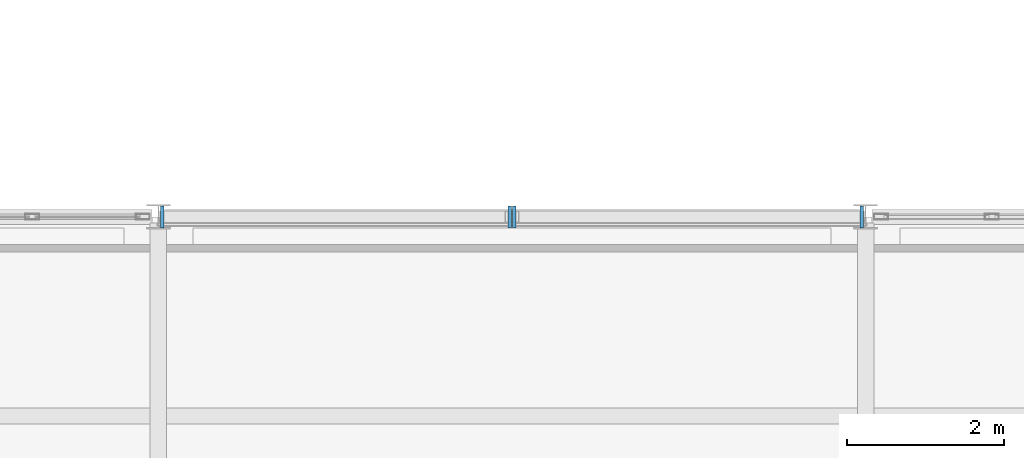
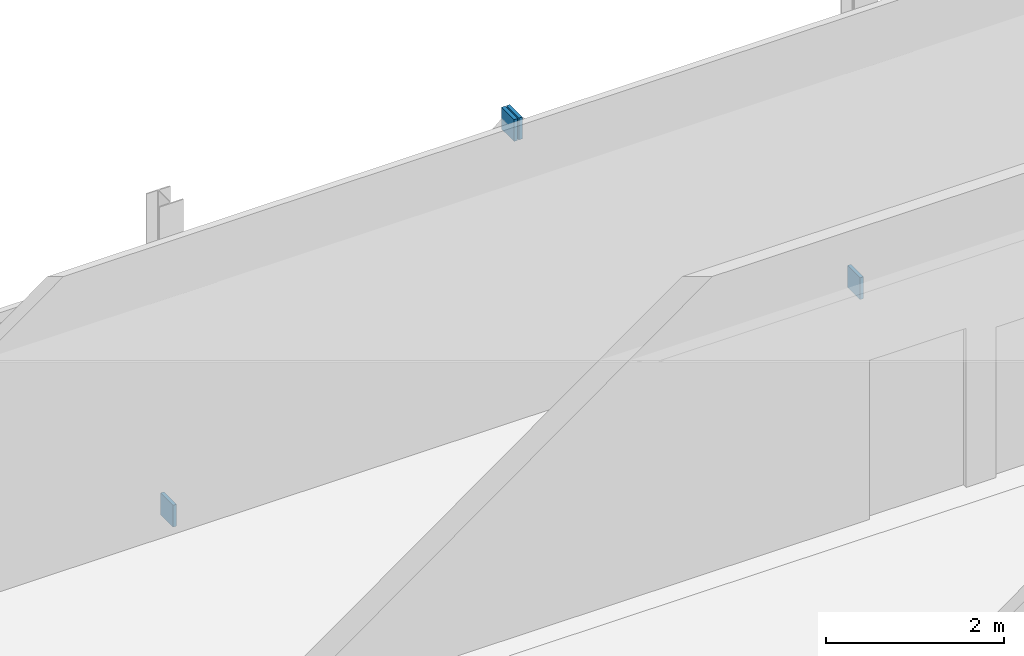
# One storey, part 37 of 48: 4 plates.
"""IFC4 building model written with IfcOpenShell, lengths in metres."""

import ifcopenshell
import ifcopenshell.guid

model = None  # the IFC model being written
_history = None  # IfcOwnerHistory: only IFC2X3 demands one
_inside = {}  # id of a spatial element -> (the spatial element, [elements in it])
_under = {}  # id of a project, library or spatial element -> (it, [spatial elements below it])
_declared = {}  # id of a project -> (the project, [libraries it declares])
_typed = {}  # id of a type object -> (the type object, [elements of that type])
_made_of = {}  # id of a material, layer set ... -> (it, [elements and type objects made of it])


def new_model(schema):
    """Start an empty IFC model of exactly this schema.

    Asked for "IFC4X3", IfcOpenShell would pick the latest addendum, in which some entities
    have other attributes; the version numbers below select the first issue.
    IFC2X3 requires an IfcOwnerHistory on every rooted entity: one is made here for all.
    """
    global model, _history
    if schema == "IFC4X3":
        model = ifcopenshell.file(schema_version=(4, 3, 0, 0))
    else:
        model = ifcopenshell.file(schema=schema)
    _inside.clear()
    _under.clear()
    _declared.clear()
    _typed.clear()
    _made_of.clear()
    _history = None
    if model.schema == "IFC2X3":
        org = make("IfcOrganization", Name="unknown")
        user = make(
            "IfcPersonAndOrganization",
            ThePerson=make("IfcPerson", FamilyName="unknown"),
            TheOrganization=org,
        )
        app = make(
            "IfcApplication",
            ApplicationDeveloper=org,
            Version="unknown",
            ApplicationFullName="unknown",
            ApplicationIdentifier="unknown",
        )
        _history = make(
            "IfcOwnerHistory",
            OwningUser=user,
            OwningApplication=app,
            ChangeAction="ADDED",
            CreationDate=0,
        )
    return model


def make(cls, **values):
    """One entity of the class cls with the attributes given. An attribute that is None is left unset."""
    return model.create_entity(
        cls, **{name: value for name, value in values.items() if value is not None}
    )


def rooted(cls, **values):
    """An entity with a GlobalId (a new one), such as an element, a storey or a relation."""
    return make(cls, GlobalId=ifcopenshell.guid.new(), OwnerHistory=_history, **values)


def si_unit(unit_type, name, prefix=None):
    """IfcSIUnit, for example si_unit("LENGTHUNIT", "METRE", prefix="MILLI")."""
    return make("IfcSIUnit", UnitType=unit_type, Prefix=prefix, Name=name)


def assignment(units):
    """IfcUnitAssignment: the units of a project."""
    return None if units is None else make("IfcUnitAssignment", Units=units)


def point(xyz):
    """IfcCartesianPoint."""
    return None if xyz is None else make("IfcCartesianPoint", Coordinates=xyz)


def direction(xyz):
    """IfcDirection."""
    return None if xyz is None else make("IfcDirection", DirectionRatios=xyz)


def frame(location, z_axis=None, x_axis=None):
    """IfcAxis2Placement3D, a coordinate frame: its origin and axes. An axis left out is left unset."""
    return make(
        "IfcAxis2Placement3D",
        Location=point(location),
        Axis=direction(z_axis),
        RefDirection=direction(x_axis),
    )


def frame_2d(location, x_axis=None):
    """IfcAxis2Placement2D, a coordinate frame in the plane: its origin and x axis."""
    return make(
        "IfcAxis2Placement2D", Location=point(location), RefDirection=direction(x_axis)
    )


def origin():
    """The frame at (0, 0, 0) with its axes left unset."""
    return frame((0.0, 0.0, 0.0))


def origin_2d():
    """The frame at (0, 0) in the plane with its x axis left unset."""
    return frame_2d((0.0, 0.0))


def place(relative_to, where):
    """IfcLocalPlacement: puts the frame where relative to a parent placement (None: the world)."""
    return make(
        "IfcLocalPlacement", PlacementRelTo=relative_to, RelativePlacement=where
    )


def context(
    kind, dimensions, precision=None, world=None, true_north=None, identifier=None
):
    """IfcGeometricRepresentationContext, for example the 3D "Model" context."""
    return make(
        "IfcGeometricRepresentationContext",
        ContextIdentifier=identifier,
        ContextType=kind,
        CoordinateSpaceDimension=dimensions,
        Precision=precision,
        WorldCoordinateSystem=world,
        TrueNorth=true_north,
    )


def subcontext(parent, identifier, kind, view, scale=None):
    """IfcGeometricRepresentationSubContext, for example "Body" below "Model"."""
    return make(
        "IfcGeometricRepresentationSubContext",
        ContextIdentifier=identifier,
        ContextType=kind,
        ParentContext=parent,
        TargetScale=scale,
        TargetView=view,
    )


def project(units=None, contexts=None):
    """IfcProject with its units and contexts."""
    return rooted(
        "IfcProject",
        Name="project",
        RepresentationContexts=contexts,
        UnitsInContext=assignment(units),
    )


def spatial(cls, under=None, at=None, **own):
    """A site, building, storey or space (cls), placed at a placement, below another one or the project."""
    s = rooted(cls, ObjectPlacement=at, **own)
    if under is not None:
        _under.setdefault(under.id(), (under, []))[1].append(s)
    return s


def profile(cls, at=None, kind="AREA", **sizes):
    """A parametric profile (cls). Its sizes go by their IFC names, for example OverallWidth=200.0."""
    return make(cls, ProfileType=kind, Position=at, **sizes)


def rectangle(**sizes):
    """IfcRectangleProfileDef."""
    return profile("IfcRectangleProfileDef", **sizes)


def extrude(swept, where, along, depth):
    """IfcExtrudedAreaSolid: the profile swept, set in the frame where, extruded along a direction by depth."""
    return make(
        "IfcExtrudedAreaSolid",
        SweptArea=swept,
        Position=where,
        ExtrudedDirection=direction(along),
        Depth=depth,
    )


def shape(context_of_items, identifier, shape_type, items):
    """IfcShapeRepresentation: the items that make up one representation, for example the "Body"."""
    return make(
        "IfcShapeRepresentation",
        ContextOfItems=context_of_items,
        RepresentationIdentifier=identifier,
        RepresentationType=shape_type,
        Items=items,
    )


def material(Name=None, Category=None):
    """IfcMaterial."""
    return make("IfcMaterial", Name=Name, Category=Category)


def layer(
    of_material, thickness, ventilated=None, Name=None, Category=None, Priority=None
):
    """IfcMaterialLayer: one layer of a wall or slab, of a material (None: an air gap)."""
    return make(
        "IfcMaterialLayer",
        Material=of_material,
        LayerThickness=thickness,
        IsVentilated=ventilated,
        Name=Name,
        Category=Category,
        Priority=Priority,
    )


def layer_set(layers, Name=None):
    """IfcMaterialLayerSet."""
    return make("IfcMaterialLayerSet", MaterialLayers=layers, LayerSetName=Name)


def made_of(thing, what):
    """Note that an element or type object is made of a material, layer set ...; save() writes the relation."""
    if what is not None:
        _made_of.setdefault(what.id(), (what, []))[1].append(thing)
    return thing


def type_object(cls, material=None, **own):
    """A type object (cls), such as IfcWallType, which elements share."""
    return made_of(rooted(cls, **own), material)


def element(
    cls,
    number,
    at=None,
    inside=None,
    cuts=None,
    type_object=None,
    material=None,
    context=None,
    identifier="Body",
    shape_type=None,
    held_by="IfcProductDefinitionShape",
    body=None,
    shapes=None,
    **own,
):
    """One element of the class cls, such as IfcWall. Its Tag is "e" and its number.

    at: its placement. inside: the storey or other place that contains it. cuts: it is an
    opening in that element (IfcRelVoidsElement). A single representation is given by context,
    identifier, shape_type and body (its items); several are given by shapes. held_by: the class
    of the entity that holds the representations. save() writes the other relations.
    """
    e = rooted(cls, Tag="e%d" % number, ObjectPlacement=at, **own)
    if body is not None:
        shapes = [shape(context, identifier, shape_type, body)]
    if shapes is not None:
        e.Representation = make(held_by, Representations=shapes)
    if inside is not None:
        _inside.setdefault(inside.id(), (inside, []))[1].append(e)
    if cuts is not None:
        rooted(
            "IfcRelVoidsElement", RelatingBuildingElement=cuts, RelatedOpeningElement=e
        )
    if type_object is not None:
        _typed.setdefault(type_object.id(), (type_object, []))[1].append(e)
    return made_of(e, material)


def aggregate(whole, parts):
    """IfcRelAggregates: a whole, such as a stair, and the parts it consists of."""
    return rooted("IfcRelAggregates", RelatingObject=whole, RelatedObjects=parts)


def save(model, path):
    """Write the relations noted so far, then the file.

    IfcRelAggregates (storeys below a building ...), IfcRelContainedInSpatialStructure (elements
    in a storey), IfcRelDefinesByType, IfcRelAssociatesMaterial and IfcRelDeclares: one each for
    every whole, place, type object, material and project.
    """
    for whole, parts in _under.values():
        aggregate(whole, parts)
    for where, things in _inside.values():
        rooted(
            "IfcRelContainedInSpatialStructure",
            RelatedElements=things,
            RelatingStructure=where,
        )
    for kind, things in _typed.values():
        rooted("IfcRelDefinesByType", RelatedObjects=things, RelatingType=kind)
    for what, things in _made_of.values():
        rooted("IfcRelAssociatesMaterial", RelatedObjects=things, RelatingMaterial=what)
    for by, libraries in _declared.values():
        rooted("IfcRelDeclares", RelatingContext=by, RelatedDefinitions=libraries)
    model.write(path)


model = new_model("IFC4")

# Units and contexts
model_context = context("Model", 3, precision=1e-05, world=origin(), true_north=direction((0.0, 1.0)))
body_context = subcontext(model_context, "Body", "Model", "MODEL_VIEW")
ifc_project = project(units=[si_unit("LENGTHUNIT", "METRE"), si_unit("AREAUNIT", "SQUARE_METRE"), si_unit("VOLUMEUNIT", "CUBIC_METRE"), si_unit("PLANEANGLEUNIT", "RADIAN"), si_unit("MASSUNIT", "GRAM", prefix="KILO")], contexts=[model_context])

# Site, building, storey
site_placement = place(None, origin())
site = spatial("IfcSite", under=ifc_project, at=site_placement, CompositionType="ELEMENT")
building_placement = place(site_placement, origin())
building = spatial("IfcBuilding", under=site, at=building_placement, Name="Caisbarro Railhouse Central Library", CompositionType="ELEMENT")
storey_placement = place(building_placement, frame((0.0, 0.0, 18.0)))
storey = spatial("IfcBuildingStorey", under=building, at=storey_placement, Name="L04", CompositionType="ELEMENT", Elevation=18.0)

# Plates
ifc_material = material(Name="Steel ASTM A572 Grade 50", Category="steel")
ifc_layer = layer(ifc_material, 0.044921875, Name="Steel ASTM A572 Grade 50")
ifc_layer_set = layer_set([ifc_layer], Name="Steel ASTM A572 Grade 50")
plate_type = type_object("IfcPlateType", Name="PLT-EP01", PredefinedType="SHEET", material=ifc_layer_set)
for number, where, z_axis, x_axis, name in (
    (1, (72.05078125, 22.800048828125, -0.1376953125), (0.0, 0.0, 1.0), (1.0, 0.0, 0.0), "EP01 end cap plate"),
    (2, (76.46923828125, 22.800048828125, 3.59765625), (0.0, 0.0, 1.0), (1.0, 0.0, 0.0), "EP01 end cap plate"),
    (3, (80.94921875, 22.800048828125, -0.1376953125), (0.0, 0.0, 1.0), (-1.0, 0.0, 0.0), "EP01 end cap plate"),
    (4, (76.53076171875, 22.800048828125, 3.59765625), (0.0, 0.0, 1.0), (-1.0, 0.0, 0.0), "EP01 end cap plate"),
):
    element("IfcPlate", number, at=place(storey_placement, frame(where, z_axis=z_axis, x_axis=x_axis)), inside=storey, type_object=plate_type, Name=name, PredefinedType="SHEET", context=body_context, shape_type="SweptSolid", body=[
        extrude(rectangle(XDim=0.044921875, YDim=0.280029296875, at=origin_2d()), origin(), (0.0, 0.0, 1.0), 0.300048828125),
    ])

save(model, "model.ifc")
